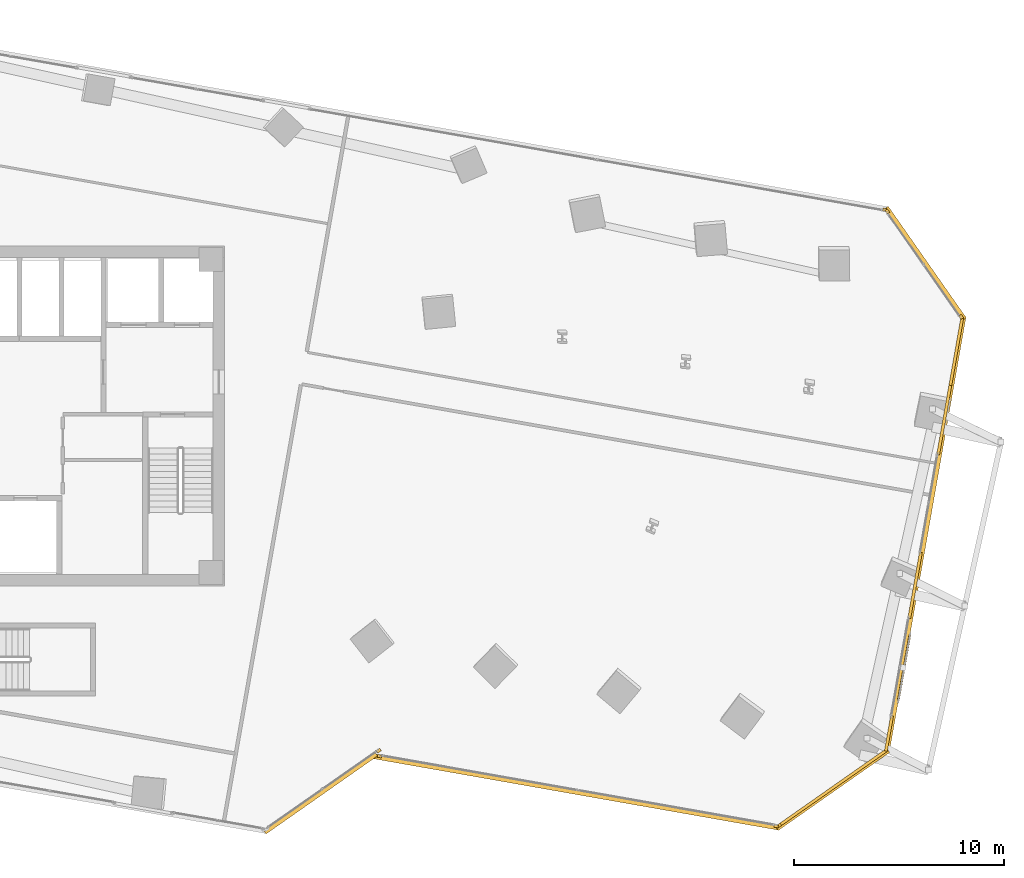
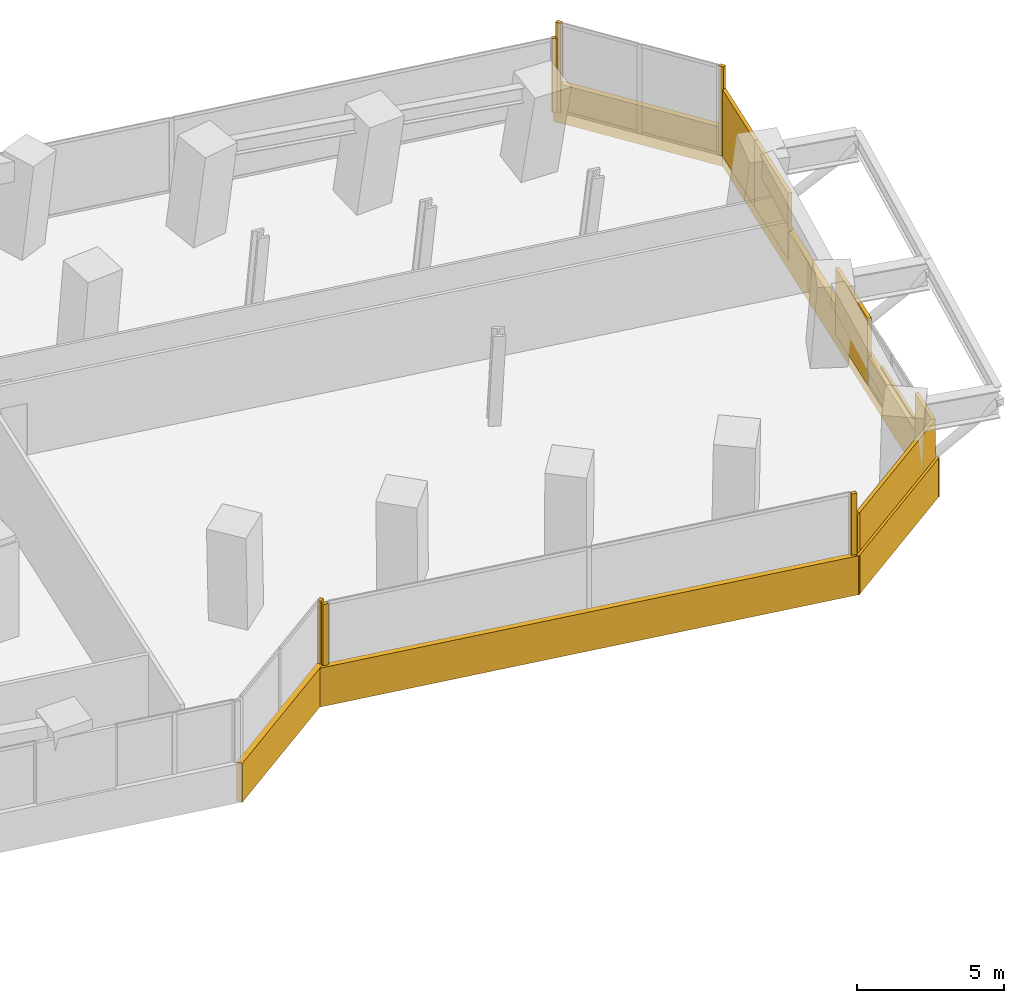
# One storey, part 23 of 24: 17 coverings, 1 shading device.
"""IFC4 building model written with IfcOpenShell, lengths in metres."""

import ifcopenshell
import ifcopenshell.guid

model = None  # the IFC model being written
_history = None  # IfcOwnerHistory: only IFC2X3 demands one
_inside = {}  # id of a spatial element -> (the spatial element, [elements in it])
_under = {}  # id of a project, library or spatial element -> (it, [spatial elements below it])
_declared = {}  # id of a project -> (the project, [libraries it declares])
_typed = {}  # id of a type object -> (the type object, [elements of that type])
_made_of = {}  # id of a material, layer set ... -> (it, [elements and type objects made of it])


def new_model(schema):
    """Start an empty IFC model of exactly this schema.

    Asked for "IFC4X3", IfcOpenShell would pick the latest addendum, in which some entities
    have other attributes; the version numbers below select the first issue.
    IFC2X3 requires an IfcOwnerHistory on every rooted entity: one is made here for all.
    """
    global model, _history
    if schema == "IFC4X3":
        model = ifcopenshell.file(schema_version=(4, 3, 0, 0))
    else:
        model = ifcopenshell.file(schema=schema)
    _inside.clear()
    _under.clear()
    _declared.clear()
    _typed.clear()
    _made_of.clear()
    _history = None
    if model.schema == "IFC2X3":
        org = make("IfcOrganization", Name="unknown")
        user = make(
            "IfcPersonAndOrganization",
            ThePerson=make("IfcPerson", FamilyName="unknown"),
            TheOrganization=org,
        )
        app = make(
            "IfcApplication",
            ApplicationDeveloper=org,
            Version="unknown",
            ApplicationFullName="unknown",
            ApplicationIdentifier="unknown",
        )
        _history = make(
            "IfcOwnerHistory",
            OwningUser=user,
            OwningApplication=app,
            ChangeAction="ADDED",
            CreationDate=0,
        )
    return model


def make(cls, **values):
    """One entity of the class cls with the attributes given. An attribute that is None is left unset."""
    return model.create_entity(
        cls, **{name: value for name, value in values.items() if value is not None}
    )


def rooted(cls, **values):
    """An entity with a GlobalId (a new one), such as an element, a storey or a relation."""
    return make(cls, GlobalId=ifcopenshell.guid.new(), OwnerHistory=_history, **values)


def si_unit(unit_type, name, prefix=None):
    """IfcSIUnit, for example si_unit("LENGTHUNIT", "METRE", prefix="MILLI")."""
    return make("IfcSIUnit", UnitType=unit_type, Prefix=prefix, Name=name)


def assignment(units):
    """IfcUnitAssignment: the units of a project."""
    return None if units is None else make("IfcUnitAssignment", Units=units)


def point(xyz):
    """IfcCartesianPoint."""
    return None if xyz is None else make("IfcCartesianPoint", Coordinates=xyz)


def direction(xyz):
    """IfcDirection."""
    return None if xyz is None else make("IfcDirection", DirectionRatios=xyz)


def frame(location, z_axis=None, x_axis=None):
    """IfcAxis2Placement3D, a coordinate frame: its origin and axes. An axis left out is left unset."""
    return make(
        "IfcAxis2Placement3D",
        Location=point(location),
        Axis=direction(z_axis),
        RefDirection=direction(x_axis),
    )


def frame_2d(location, x_axis=None):
    """IfcAxis2Placement2D, a coordinate frame in the plane: its origin and x axis."""
    return make(
        "IfcAxis2Placement2D", Location=point(location), RefDirection=direction(x_axis)
    )


def origin():
    """The frame at (0, 0, 0) with its axes left unset."""
    return frame((0.0, 0.0, 0.0))


def origin_2d():
    """The frame at (0, 0) in the plane with its x axis left unset."""
    return frame_2d((0.0, 0.0))


def place(relative_to, where):
    """IfcLocalPlacement: puts the frame where relative to a parent placement (None: the world)."""
    return make(
        "IfcLocalPlacement", PlacementRelTo=relative_to, RelativePlacement=where
    )


def context(
    kind, dimensions, precision=None, world=None, true_north=None, identifier=None
):
    """IfcGeometricRepresentationContext, for example the 3D "Model" context."""
    return make(
        "IfcGeometricRepresentationContext",
        ContextIdentifier=identifier,
        ContextType=kind,
        CoordinateSpaceDimension=dimensions,
        Precision=precision,
        WorldCoordinateSystem=world,
        TrueNorth=true_north,
    )


def subcontext(parent, identifier, kind, view, scale=None):
    """IfcGeometricRepresentationSubContext, for example "Body" below "Model"."""
    return make(
        "IfcGeometricRepresentationSubContext",
        ContextIdentifier=identifier,
        ContextType=kind,
        ParentContext=parent,
        TargetScale=scale,
        TargetView=view,
    )


def project(units=None, contexts=None):
    """IfcProject with its units and contexts."""
    return rooted(
        "IfcProject",
        Name="project",
        RepresentationContexts=contexts,
        UnitsInContext=assignment(units),
    )


def spatial(cls, under=None, at=None, **own):
    """A site, building, storey or space (cls), placed at a placement, below another one or the project."""
    s = rooted(cls, ObjectPlacement=at, **own)
    if under is not None:
        _under.setdefault(under.id(), (under, []))[1].append(s)
    return s


def profile(cls, at=None, kind="AREA", **sizes):
    """A parametric profile (cls). Its sizes go by their IFC names, for example OverallWidth=200.0."""
    return make(cls, ProfileType=kind, Position=at, **sizes)


def rectangle(**sizes):
    """IfcRectangleProfileDef."""
    return profile("IfcRectangleProfileDef", **sizes)


def extrude(swept, where, along, depth):
    """IfcExtrudedAreaSolid: the profile swept, set in the frame where, extruded along a direction by depth."""
    return make(
        "IfcExtrudedAreaSolid",
        SweptArea=swept,
        Position=where,
        ExtrudedDirection=direction(along),
        Depth=depth,
    )


def shape(context_of_items, identifier, shape_type, items):
    """IfcShapeRepresentation: the items that make up one representation, for example the "Body"."""
    return make(
        "IfcShapeRepresentation",
        ContextOfItems=context_of_items,
        RepresentationIdentifier=identifier,
        RepresentationType=shape_type,
        Items=items,
    )


def source(mapping_origin, context_of_items, identifier, shape_type, items):
    """IfcRepresentationMap: a shape defined once, which mapped items show again and again."""
    return make(
        "IfcRepresentationMap",
        MappingOrigin=mapping_origin,
        MappedRepresentation=shape(context_of_items, identifier, shape_type, items),
    )


def transform(
    local_origin,
    x_axis=None,
    y_axis=None,
    z_axis=None,
    scale=None,
    scale2=None,
    scale3=None,
    uniform=True,
):
    """IfcCartesianTransformationOperator3D, or its non-uniform kind. x_axis, y_axis, z_axis: its Axis1, 2, 3."""
    if uniform:
        return make(
            "IfcCartesianTransformationOperator3D",
            Axis1=direction(x_axis),
            Axis2=direction(y_axis),
            LocalOrigin=point(local_origin),
            Scale=scale,
            Axis3=direction(z_axis),
        )
    return make(
        "IfcCartesianTransformationOperator3DnonUniform",
        Axis1=direction(x_axis),
        Axis2=direction(y_axis),
        LocalOrigin=point(local_origin),
        Scale=scale,
        Axis3=direction(z_axis),
        Scale2=scale2,
        Scale3=scale3,
    )


def mapped(mapping_source, mapping_target):
    """IfcMappedItem: shows the shape of a source again, moved by a transform."""
    return make(
        "IfcMappedItem", MappingSource=mapping_source, MappingTarget=mapping_target
    )


def material(Name=None, Category=None):
    """IfcMaterial."""
    return make("IfcMaterial", Name=Name, Category=Category)


def layer(
    of_material, thickness, ventilated=None, Name=None, Category=None, Priority=None
):
    """IfcMaterialLayer: one layer of a wall or slab, of a material (None: an air gap)."""
    return make(
        "IfcMaterialLayer",
        Material=of_material,
        LayerThickness=thickness,
        IsVentilated=ventilated,
        Name=Name,
        Category=Category,
        Priority=Priority,
    )


def layer_set(layers, Name=None):
    """IfcMaterialLayerSet."""
    return make("IfcMaterialLayerSet", MaterialLayers=layers, LayerSetName=Name)


def made_of(thing, what):
    """Note that an element or type object is made of a material, layer set ...; save() writes the relation."""
    if what is not None:
        _made_of.setdefault(what.id(), (what, []))[1].append(thing)
    return thing


def type_object(cls, material=None, **own):
    """A type object (cls), such as IfcWallType, which elements share."""
    return made_of(rooted(cls, **own), material)


def element(
    cls,
    number,
    at=None,
    inside=None,
    cuts=None,
    type_object=None,
    material=None,
    context=None,
    identifier="Body",
    shape_type=None,
    held_by="IfcProductDefinitionShape",
    body=None,
    shapes=None,
    **own,
):
    """One element of the class cls, such as IfcWall. Its Tag is "e" and its number.

    at: its placement. inside: the storey or other place that contains it. cuts: it is an
    opening in that element (IfcRelVoidsElement). A single representation is given by context,
    identifier, shape_type and body (its items); several are given by shapes. held_by: the class
    of the entity that holds the representations. save() writes the other relations.
    """
    e = rooted(cls, Tag="e%d" % number, ObjectPlacement=at, **own)
    if body is not None:
        shapes = [shape(context, identifier, shape_type, body)]
    if shapes is not None:
        e.Representation = make(held_by, Representations=shapes)
    if inside is not None:
        _inside.setdefault(inside.id(), (inside, []))[1].append(e)
    if cuts is not None:
        rooted(
            "IfcRelVoidsElement", RelatingBuildingElement=cuts, RelatedOpeningElement=e
        )
    if type_object is not None:
        _typed.setdefault(type_object.id(), (type_object, []))[1].append(e)
    return made_of(e, material)


def aggregate(whole, parts):
    """IfcRelAggregates: a whole, such as a stair, and the parts it consists of."""
    return rooted("IfcRelAggregates", RelatingObject=whole, RelatedObjects=parts)


def save(model, path):
    """Write the relations noted so far, then the file.

    IfcRelAggregates (storeys below a building ...), IfcRelContainedInSpatialStructure (elements
    in a storey), IfcRelDefinesByType, IfcRelAssociatesMaterial and IfcRelDeclares: one each for
    every whole, place, type object, material and project.
    """
    for whole, parts in _under.values():
        aggregate(whole, parts)
    for where, things in _inside.values():
        rooted(
            "IfcRelContainedInSpatialStructure",
            RelatedElements=things,
            RelatingStructure=where,
        )
    for kind, things in _typed.values():
        rooted("IfcRelDefinesByType", RelatedObjects=things, RelatingType=kind)
    for what, things in _made_of.values():
        rooted("IfcRelAssociatesMaterial", RelatedObjects=things, RelatingMaterial=what)
    for by, libraries in _declared.values():
        rooted("IfcRelDeclares", RelatingContext=by, RelatedDefinitions=libraries)
    model.write(path)


model = new_model("IFC4")

# Units and contexts
model_context = context("Model", 3, precision=1e-05, world=origin(), true_north=direction((0.0, 1.0)))
body_context = subcontext(model_context, "Body", "Model", "MODEL_VIEW")
ifc_project = project(units=[si_unit("LENGTHUNIT", "METRE"), si_unit("AREAUNIT", "SQUARE_METRE"), si_unit("VOLUMEUNIT", "CUBIC_METRE"), si_unit("PLANEANGLEUNIT", "RADIAN"), si_unit("MASSUNIT", "GRAM", prefix="KILO")], contexts=[model_context])

# Site, building, storey
site_placement = place(None, origin())
site = spatial("IfcSite", under=ifc_project, at=site_placement, CompositionType="ELEMENT")
building_placement = place(site_placement, origin())
building = spatial("IfcBuilding", under=site, at=building_placement, Name="Torre Montelarca", CompositionType="ELEMENT")
storey_placement = place(building_placement, frame((0.0, 0.0, 83.199951171875)))
storey = spatial("IfcBuildingStorey", under=building, at=storey_placement, Name="L18", CompositionType="ELEMENT", Elevation=83.199951171875)

# Coverings
ifc_material_1 = material(Name="Bush-hammered warm white precast concrete C45/55", Category="concrete")
ifc_layer_1 = layer(ifc_material_1, 0.139892578125, Name="Bush-hammered warm white precast concrete C45/55", Category="concrete")
ifc_layer_set_1 = layer_set([ifc_layer_1], Name="Bush-hammered warm white precast concrete C45/55")
covering_type = type_object("IfcCoveringType", Name="COV-TRAY-CLAD", PredefinedType="CLADDING", material=ifc_layer_set_1)
shared_shape_1 = source(origin(), body_context, "Body", "SweptSolid", [
    extrude(rectangle(XDim=6.48388671875, YDim=0.219970703125, at=origin_2d()), origin(), (0.0, 0.0, 1.0), 1.6201171875),
])
for number, where, z_axis, x_axis, name in (
    (1, (31.663330078125, 14.033447265625, -0.449951171875), (0.0, 0.0, 1.0), (0.81914803995, 0.573582155097, 0.0), "L18 Architectural White Spandrel Tray Band TRYBOT-02"),
    (2, (56.062744140625, 14.198974609375, -0.449951171875), (0.0, 0.0, 1.0), (0.819156048588, 0.573570717577, 0.0), "L18 Architectural White Spandrel Tray Band TRYBOT-05"),
    (3, (60.4833984375, 39.269775390625, -0.449951171875), (0.0, 0.0, 1.0), (-0.573570717577, 0.819156048588, 0.0), "L18 Architectural White Spandrel Tray Band TRYBOT-07"),
):
    element("IfcCovering", number, at=place(storey_placement, frame(where, z_axis=z_axis, x_axis=x_axis)), inside=storey, type_object=covering_type, Name=name, PredefinedType="CLADDING", context=body_context, shape_type="MappedRepresentation", body=[
        mapped(shared_shape_1, transform((0.0, 0.0, 0.0), scale=1.0)),
    ])
shared_shape_2 = source(origin(), body_context, "Body", "SweptSolid", [
    extrude(rectangle(XDim=21.1201171875, YDim=0.219970703125, at=origin_2d()), origin(), (0.0, 0.0, 1.0), 1.6201171875),
])
covering_1_placement = place(storey_placement, frame((60.480224609375, 26.34521484375, -0.449951171875), z_axis=(0.0, 0.0, 1.0), x_axis=(0.173648177667, 0.984807753012, 0.0)))
element("IfcCovering", 4, at=covering_1_placement, inside=storey, type_object=covering_type, Name="L18 Architectural White Spandrel Tray Band TRYBOT-06", PredefinedType="CLADDING", context=body_context, shape_type="MappedRepresentation", body=[
    mapped(shared_shape_2, transform((0.0, 0.0, 0.0), scale=1.0)),
])
shared_shape_3 = source(origin(), body_context, "Body", "SweptSolid", [
    extrude(rectangle(XDim=19.6201171875, YDim=0.219970703125, at=origin_2d()), origin(), (0.0, 0.0, 1.0), 1.6201171875),
])
covering_2_placement = place(storey_placement, frame((43.876708984375, 14.072021484375, -0.449951171875), z_axis=(0.0, 0.0, 1.0), x_axis=(0.98480714686, -0.173651615293, 0.0)))
element("IfcCovering", 5, at=covering_2_placement, inside=storey, type_object=covering_type, Name="L18 Architectural White Spandrel Tray Band TRYBOT-04", PredefinedType="CLADDING", context=body_context, shape_type="MappedRepresentation", body=[
    mapped(shared_shape_3, transform((0.0, 0.0, 0.0), scale=1.0)),
])

# Shading device
ifc_material_2 = material(Name="Architectural perforated terracotta ceramic", Category="masonry")
ifc_layer_2 = layer(ifc_material_2, 0.080078125, Name="Architectural perforated terracotta ceramic", Category="masonry")
ifc_layer_set_2 = layer_set([ifc_layer_2], Name="Architectural perforated terracotta ceramic")
shading_device_type = type_object("IfcShadingDeviceType", Name="SHD-JALOUSIE-1", PredefinedType="JALOUSIE", material=ifc_layer_set_2)
shared_shape_4 = source(origin(), body_context, "Body", "SweptSolid", [
    extrude(rectangle(XDim=3.199951171875, YDim=0.10009765625, at=origin_2d()), origin(), (0.0, 0.0, 1.0), 1.25),
])
shading_device_placement = place(storey_placement, frame((59.4736328125, 20.00244140625, -0.0048828125), z_axis=(0.0, 0.0, 1.0), x_axis=(0.173648177667, 0.984807753012, 0.0)))
element("IfcShadingDevice", 6, at=shading_device_placement, inside=storey, type_object=shading_device_type, Name="L18 Facade Solar Shading Device E6", PredefinedType="JALOUSIE", context=body_context, shape_type="MappedRepresentation", body=[
    mapped(shared_shape_4, transform((0.0, 0.0, 0.0), scale=1.0)),
])

# Coverings
shared_shape_5 = source(origin(), body_context, "Body", "SweptSolid", [
    extrude(rectangle(XDim=0.199951171875, YDim=0.139892578125, at=origin_2d()), origin(), (0.0, 0.0, 1.0), 3.719970703125),
])
for number, where, z_axis, x_axis, name in (
    (7, (34.44189453125, 16.05224609375, 0.0), (0.0, 0.0, 1.0), (0.819155047517, 0.573572147273, 0.0), "L18 Architectural Column Pier Cladding E02-2"),
    (8, (34.474365234375, 15.790771484375, 0.0), (0.0, 0.0, 1.0), (0.984808056084, -0.173646458853, 0.0), "L18 Architectural Column Pier Cladding E04-1"),
    (9, (53.375, 12.4580078125, 0.0), (0.0, 0.0, 1.0), (0.984808056084, -0.173646458853, 0.0), "L18 Architectural Column Pier Cladding E04-2"),
    (10, (62.19287109375, 36.7236328125, 0.0), (0.0, 0.0, 1.0), (-0.573557850233, 0.819165058115, 0.0), "L18 Architectural Column Pier Cladding E07-1"),
    (11, (58.675537109375, 41.7470703125, 0.0), (0.0, 0.0, 1.0), (-0.573557850233, 0.819165058115, 0.0), "L18 Architectural Column Pier Cladding E07-2"),
):
    element("IfcCovering", number, at=place(storey_placement, frame(where, z_axis=z_axis, x_axis=x_axis)), inside=storey, type_object=covering_type, Name=name, PredefinedType="CLADDING", context=body_context, shape_type="MappedRepresentation", body=[
        mapped(shared_shape_5, transform((0.0, 0.0, 0.0), scale=1.0)),
    ])
shared_shape_6 = source(origin(), body_context, "Body", "SweptSolid", [
    extrude(rectangle(XDim=0.199951171875, YDim=0.139892578125, at=origin_2d()), origin(), (0.0, 0.0, 1.0), 2.77490234375),
])
covering_3_placement = place(storey_placement, frame((53.5166015625, 12.489501953125, 0.0), z_axis=(0.0, 0.0, 1.0), x_axis=(0.819165058115, 0.573557850233, 0.0)))
element("IfcCovering", 12, at=covering_3_placement, inside=storey, type_object=covering_type, Name="L18 Architectural Column Pier Cladding E05-1", PredefinedType="CLADDING", context=body_context, shape_type="MappedRepresentation", body=[
    mapped(shared_shape_6, transform((0.0, 0.0, 0.0), scale=1.0)),
])
shared_shape_7 = source(origin(), body_context, "Body", "SweptSolid", [
    extrude(rectangle(XDim=0.199951171875, YDim=0.139892578125, at=origin_2d()), origin(), (0.0, 0.0, 1.0), 3.074951171875),
])
covering_4_placement = place(storey_placement, frame((58.55322265625, 41.8251953125, 0.0), z_axis=(0.0, 0.0, 1.0), x_axis=(-0.984808056084, 0.173646458853, 0.0)))
element("IfcCovering", 13, at=covering_4_placement, inside=storey, type_object=covering_type, Name="L18 Architectural Column Pier Cladding E08-1", PredefinedType="CLADDING", context=body_context, shape_type="MappedRepresentation", body=[
    mapped(shared_shape_7, transform((0.0, 0.0, 0.0), scale=1.0)),
])
shared_shape_8 = source(origin(), body_context, "Body", "SweptSolid", [
    extrude(rectangle(XDim=6.232421875, YDim=0.139892578125, at=origin_2d()), origin(), (0.0, 0.0, 1.0), 2.77490234375),
])
covering_5_placement = place(storey_placement, frame((56.0693359375, 14.27685546875, 0.0), z_axis=(0.0, 0.0, 1.0), x_axis=(0.819165058115, 0.573557850233, 0.0)))
element("IfcCovering", 14, at=covering_5_placement, inside=storey, type_object=covering_type, Name="L18 Architectural Column Pier Cladding E05-2", PredefinedType="CLADDING", context=body_context, shape_type="MappedRepresentation", body=[
    mapped(shared_shape_8, transform((0.0, 0.0, 0.0), scale=1.0)),
])
shared_shape_9 = source(origin(), body_context, "Body", "SweptSolid", [
    extrude(rectangle(XDim=1.701171875, YDim=0.139892578125, at=origin_2d()), origin(), (0.0, 0.0, 1.0), 2.77490234375),
])
covering_6_placement = place(storey_placement, frame((58.748291015625, 16.868408203125, 0.0), z_axis=(0.0, 0.0, 1.0), x_axis=(0.173646458853, 0.984808056084, 0.0)))
element("IfcCovering", 15, at=covering_6_placement, inside=storey, type_object=covering_type, Name="L18 Architectural Column Pier Cladding E06-1", PredefinedType="CLADDING", context=body_context, shape_type="MappedRepresentation", body=[
    mapped(shared_shape_9, transform((0.0, 0.0, 0.0), scale=1.0)),
])
shared_shape_10 = source(origin(), body_context, "Body", "SweptSolid", [
    extrude(rectangle(XDim=3.199462890625, YDim=0.139892578125, at=origin_2d()), origin(), (0.0, 0.0, 1.0), 2.77490234375),
])
covering_7_placement = place(storey_placement, frame((59.994140625, 23.933349609375, 0.0), z_axis=(0.0, 0.0, 1.0), x_axis=(0.173646458853, 0.984808056084, 0.0)))
element("IfcCovering", 16, at=covering_7_placement, inside=storey, type_object=covering_type, Name="L18 Architectural Column Pier Cladding E06-2", PredefinedType="CLADDING", context=body_context, shape_type="MappedRepresentation", body=[
    mapped(shared_shape_10, transform((0.0, 0.0, 0.0), scale=1.0)),
])
shared_shape_11 = source(origin(), body_context, "Body", "SweptSolid", [
    extrude(rectangle(XDim=3.355224609375, YDim=0.139892578125, at=origin_2d()), origin(), (0.0, 0.0, 1.0), 2.77490234375),
])
covering_8_placement = place(storey_placement, frame((61.38232421875, 31.80712890625, 0.0), z_axis=(0.0, 0.0, 1.0), x_axis=(0.173646458853, 0.984808056084, 0.0)))
element("IfcCovering", 17, at=covering_8_placement, inside=storey, type_object=covering_type, Name="L18 Architectural Column Pier Cladding E06-3", PredefinedType="CLADDING", context=body_context, shape_type="MappedRepresentation", body=[
    mapped(shared_shape_11, transform((0.0, 0.0, 0.0), scale=1.0)),
])
shared_shape_12 = source(origin(), body_context, "Body", "SweptSolid", [
    extrude(rectangle(XDim=3.370849609375, YDim=0.139892578125, at=origin_2d()), origin(), (0.0, 0.0, 1.0), 2.77490234375),
])
covering_9_placement = place(storey_placement, frame((61.948974609375, 35.020751953125, 0.0), z_axis=(0.0, 0.0, 1.0), x_axis=(0.173646458853, 0.984808056084, 0.0)))
element("IfcCovering", 18, at=covering_9_placement, inside=storey, type_object=covering_type, Name="L18 Architectural Column Pier Cladding E06-4", PredefinedType="CLADDING", context=body_context, shape_type="MappedRepresentation", body=[
    mapped(shared_shape_12, transform((0.0, 0.0, 0.0), scale=1.0)),
])

save(model, "model.ifc")
